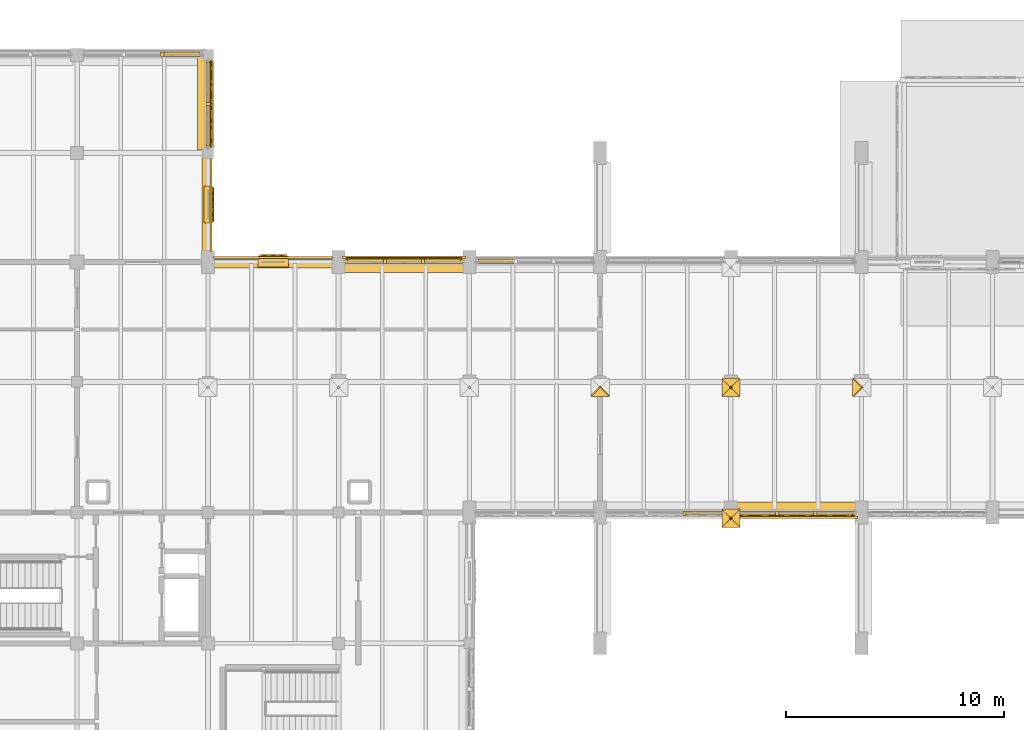
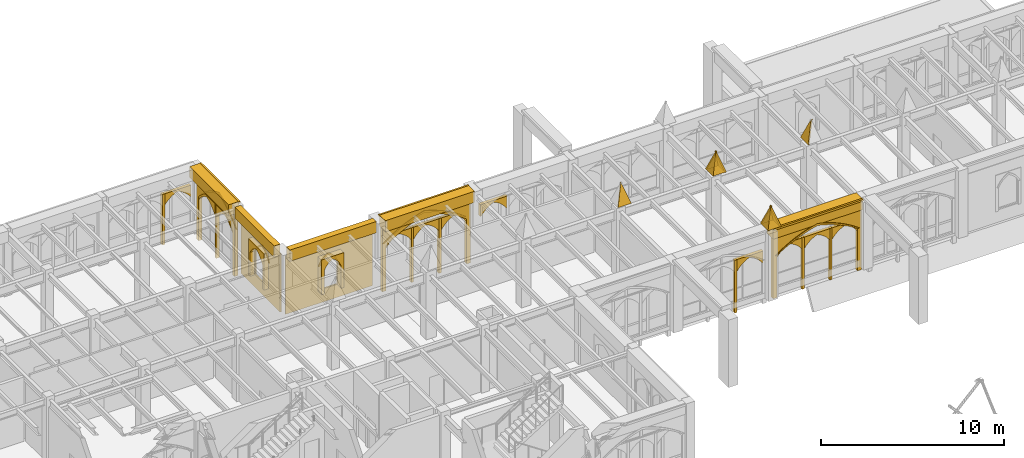
# One storey, part 131 of 143: 48 coverings.
"""IFC4 building model written with IfcOpenShell, lengths in metres."""

from ifc_helpers import new_model, si_unit, direction, frame, origin, origin_2d, place, context, subcontext, project, spatial, polyline, rectangle, outline, extrude, material, type_object, element, save


model = new_model("IFC4")

# Units and contexts
model_context = context("Model", 3, precision=1e-05, world=origin(), true_north=direction((0.0, 1.0)))
body_context = subcontext(model_context, "Body", "Model", "MODEL_VIEW")
ifc_project = project(units=[si_unit("LENGTHUNIT", "METRE"), si_unit("AREAUNIT", "SQUARE_METRE"), si_unit("VOLUMEUNIT", "CUBIC_METRE"), si_unit("PLANEANGLEUNIT", "RADIAN"), si_unit("MASSUNIT", "GRAM", prefix="KILO")], contexts=[model_context])

# Site, building, storey
site_placement = place(None, origin())
site = spatial("IfcSite", under=ifc_project, at=site_placement, CompositionType="ELEMENT")
building_placement = place(site_placement, origin())
building = spatial("IfcBuilding", under=site, at=building_placement, Name="Cumevento Cable Car Station", CompositionType="ELEMENT")
storey_placement = place(building_placement, frame((0.0, 0.0, 9.0)))
storey = spatial("IfcBuildingStorey", under=building, at=storey_placement, Name="L03", CompositionType="ELEMENT", Elevation=9.0)

# Coverings
ifc_material = material(Name="Gnaisse Facoidal Stone Ashlar 85 MPa", Category="masonry")
covering_type = type_object("IfcCoveringType", Name="Gnaisse Ashlar Cladding CV-CL01", PredefinedType="CLADDING", material=ifc_material)
for number, where, z_axis, x_axis, name in (
    (1, (88.419921875, 50.320068359375, 4.8701171875), (0.0, -0.951573760476, 0.30742052367), (-1.0, 0.0, 0.0), "Gothic Buttress Pinnacle Spire Facet 3 bt:88.0:51.0"),
    (2, (93.580078125, 45.159912109375, 4.8701171875), (0.0, 0.951573760476, 0.30742052367), (1.0, 0.0, 0.0), "Gothic Buttress Pinnacle Spire Facet 1 bt:94.0:45.0"),
    (3, (94.419921875, 45.159912109375, 4.8701171875), (0.951573760476, 0.0, 0.30742052367), (0.0, -1.0, 0.0), "Gothic Buttress Pinnacle Spire Facet 2 bt:94.0:45.0"),
    (4, (94.419921875, 44.320068359375, 4.8701171875), (0.0, -0.951573760476, 0.30742052367), (-1.0, 0.0, 0.0), "Gothic Buttress Pinnacle Spire Facet 3 bt:94.0:45.0"),
    (5, (93.580078125, 44.320068359375, 4.8701171875), (-0.951573760476, 0.0, 0.30742052367), (0.0, 1.0, 0.0), "Gothic Buttress Pinnacle Spire Facet 4 bt:94.0:45.0"),
    (6, (93.580078125, 51.159912109375, 4.8701171875), (0.0, 0.951573760476, 0.30742052367), (1.0, 0.0, 0.0), "Gothic Buttress Pinnacle Spire Facet 1 bt:94.0:51.0"),
    (7, (94.419921875, 51.159912109375, 4.8701171875), (0.951573760476, 0.0, 0.30742052367), (0.0, -1.0, 0.0), "Gothic Buttress Pinnacle Spire Facet 2 bt:94.0:51.0"),
    (8, (94.419921875, 50.320068359375, 4.8701171875), (0.0, -0.951573760476, 0.30742052367), (-1.0, 0.0, 0.0), "Gothic Buttress Pinnacle Spire Facet 3 bt:94.0:51.0"),
    (9, (93.580078125, 50.320068359375, 4.8701171875), (-0.951573760476, 0.0, 0.30742052367), (0.0, 1.0, 0.0), "Gothic Buttress Pinnacle Spire Facet 4 bt:94.0:51.0"),
    (10, (99.580078125, 50.320068359375, 4.8701171875), (-0.951573760476, 0.0, 0.30742052367), (0.0, 1.0, 0.0), "Gothic Buttress Pinnacle Spire Facet 4 bt:100.0:51.0"),
):
    element("IfcCovering", number, at=place(storey_placement, frame(where, z_axis=z_axis, x_axis=x_axis)), inside=storey, type_object=covering_type, Name=name, PredefinedType="CLADDING", context=body_context, shape_type="SweptSolid", body=[
        extrude(outline(polyline([(0.0, 0.0), (0.83984375, 0.0), (0.419921875, -1.3659526370817139), (0.0, 0.0)])), origin(), (0.0, 0.0, -1.0), 0.0849609375),
    ])
covering_1_placement = place(storey_placement, frame((73.0, 56.409912109375, 3.77294921875), z_axis=(0.0, 0.0, 1.0), x_axis=(1.0, 0.0, 0.0)))
element("IfcCovering", 11, at=covering_1_placement, inside=storey, type_object=covering_type, Name="Gothic Stone Spandrel Stringcourse sc:0644", PredefinedType="CLADDING", context=body_context, shape_type="SweptSolid", body=[
    extrude(rectangle(XDim=5.4599609375, YDim=0.3798828125, at=origin_2d()), origin(), (0.0, 0.0, 1.0), 0.7470703125),
])
covering_2_placement = place(storey_placement, frame((79.0, 56.35009765625, 3.784912109375), z_axis=(0.0, 0.0, 1.0), x_axis=(1.0, 0.0, 0.0)))
element("IfcCovering", 12, at=covering_2_placement, inside=storey, type_object=covering_type, Name="Gothic Stone Spandrel Stringcourse sc:0645", PredefinedType="CLADDING", context=body_context, shape_type="SweptSolid", body=[
    extrude(rectangle(XDim=5.639892578125, YDim=0.659912109375, at=origin_2d()), origin(), (0.0, 0.0, 1.0), 0.7470703125),
])
covering_3_placement = place(storey_placement, frame((79.0, 56.70751953125, 4.402099609375), z_axis=(0.0, 0.0, 1.0), x_axis=(1.0, 0.0, 0.0)))
element("IfcCovering", 13, at=covering_3_placement, inside=storey, type_object=covering_type, Name="Gothic Cornice Dripstone Lip sc:0645", PredefinedType="CLADDING", context=body_context, shape_type="SweptSolid", body=[
    extrude(rectangle(XDim=5.679931640625, YDim=0.114990234375, at=origin_2d()), origin(), (0.0, 0.0, 1.0), 0.1298828125),
])
covering_4_placement = place(storey_placement, frame((97.0, 45.14990234375, 3.784912109375), z_axis=(0.0, 0.0, 1.0), x_axis=(-1.0, 0.0, 0.0)))
element("IfcCovering", 14, at=covering_4_placement, inside=storey, type_object=covering_type, Name="Gothic Stone Spandrel Stringcourse sc:0648", PredefinedType="CLADDING", context=body_context, shape_type="SweptSolid", body=[
    extrude(rectangle(XDim=5.639892578125, YDim=0.659912109375, at=origin_2d()), origin(), (0.0, 0.0, 1.0), 0.7470703125),
])
covering_5_placement = place(storey_placement, frame((97.0, 44.79248046875, 4.402099609375), z_axis=(0.0, 0.0, 1.0), x_axis=(-1.0, 0.0, 0.0)))
element("IfcCovering", 15, at=covering_5_placement, inside=storey, type_object=covering_type, Name="Gothic Cornice Dripstone Lip sc:0648", PredefinedType="CLADDING", context=body_context, shape_type="SweptSolid", body=[
    extrude(rectangle(XDim=5.679931640625, YDim=0.114990234375, at=origin_2d()), origin(), (0.0, 0.0, 1.0), 0.1298828125),
])
covering_6_placement = place(storey_placement, frame((69.909912109375, 59.137451171875, 3.77294921875), z_axis=(0.0, 0.0, 1.0), x_axis=(0.0, -1.0, 0.0)))
element("IfcCovering", 16, at=covering_6_placement, inside=storey, type_object=covering_type, Name="Gothic Stone Spandrel Stringcourse sc:0663", PredefinedType="CLADDING", context=body_context, shape_type="SweptSolid", body=[
    extrude(rectangle(XDim=4.284912109375, YDim=0.3798828125, at=origin_2d()), origin(), (0.0, 0.0, 1.0), 0.7470703125),
])
covering_7_placement = place(storey_placement, frame((69.85009765625, 63.75, 3.77294921875), z_axis=(0.0, 0.0, 1.0), x_axis=(0.0, -1.0, 0.0)))
element("IfcCovering", 17, at=covering_7_placement, inside=storey, type_object=covering_type, Name="Gothic Stone Spandrel Stringcourse sc:0664", PredefinedType="CLADDING", context=body_context, shape_type="SweptSolid", body=[
    extrude(rectangle(XDim=4.239990234375, YDim=0.659912109375, at=origin_2d()), origin(), (0.0, 0.0, 1.0), 0.7470703125),
])
covering_8_placement = place(storey_placement, frame((70.20751953125, 63.75, 4.39013671875), z_axis=(0.0, 0.0, 1.0), x_axis=(0.0, -1.0, 0.0)))
element("IfcCovering", 18, at=covering_8_placement, inside=storey, type_object=covering_type, Name="Gothic Cornice Dripstone Lip sc:0664", PredefinedType="CLADDING", context=body_context, shape_type="SweptSolid", body=[
    extrude(rectangle(XDim=4.280029296875, YDim=0.114990234375, at=origin_2d()), origin(), (0.0, 0.0, 1.0), 0.1298828125),
])
placement_1 = place(storey_placement, frame((76.300048828125, 56.5, -0.469970703125), z_axis=(0.0, 0.0, 1.0), x_axis=(1.0, 0.0, 0.0)))
element("IfcCovering", 19, at=placement_1, inside=storey, type_object=covering_type, Name="Gothic Ogival Pointed-Arch Stone Spandrel cw_ogival:0105", PredefinedType="CLADDING", context=body_context, shape_type="SweptSolid", body=[
    extrude(outline(polyline([(-0.080078125, 0.0), (-0.080078125, 4.39501953125), (5.47998046875, 4.39501953125), (5.47998046875, 0.0), (5.239990234375, 0.0), (5.239990234375, 3.00634765625), (4.951416015625, 3.209716796875), (4.653076171875, 3.398193359375), (4.345703125, 3.5712890625), (4.030029296875, 3.72900390625), (3.70654296875, 3.870361328125), (3.376708984375, 3.995361328125), (3.040771484375, 4.103759765625), (2.699951171875, 4.195068359375), (2.359130859375, 4.103759765625), (2.023193359375, 3.995361328125), (1.693359375, 3.870361328125), (1.369873046875, 3.72900390625), (1.05419921875, 3.5712890625), (0.746826171875, 3.398193359375), (0.448486328125, 3.209716796875), (0.159912109375, 3.00634765625), (0.159912109375, 0.0), (-0.080078125, 0.0)])), frame((0.0, 0.139892578125, 0.0), z_axis=(0.0, -1.0, 0.0), x_axis=(1.0, 0.0, 0.0)), (0.0, 0.0, 1.0), 0.219970703125),
])
covering_10_placement = place(storey_placement, frame((76.300048828125, 56.5, 2.536376953125), z_axis=(0.0, 0.0, 1.0), x_axis=(1.0, 0.0, 0.0)))
element("IfcCovering", 20, at=covering_10_placement, inside=storey, type_object=covering_type, Name="Gothic Pointed Archivolt Hood Moulding cw_ogival:0105", PredefinedType="CLADDING", context=body_context, shape_type="SweptSolid", body=[
    extrude(outline(polyline([(0.159912109375, 0.0), (0.448486328125, 0.203369140625), (0.746826171875, 0.391845703125), (1.05419921875, 0.56494140625), (1.369873046875, 0.72265625), (1.693359375, 0.864013671875), (2.023193359375, 0.989013671875), (2.359130859375, 1.097412109375), (2.699951171875, 1.188720703125), (3.040771484375, 1.097412109375), (3.376708984375, 0.989013671875), (3.70654296875, 0.864013671875), (4.030029296875, 0.72265625), (4.345703125, 0.56494140625), (4.653076171875, 0.391845703125), (4.951416015625, 0.203369140625), (5.239990234375, 0.0), (5.35009765625, 0.0), (5.052978515625, 0.22607421875), (4.744384765625, 0.43603515625), (4.425048828125, 0.629150390625), (4.095947265625, 0.804931640625), (3.7578125, 0.963134765625), (3.411865234375, 1.102783203125), (3.058837890625, 1.223876953125), (2.699951171875, 1.326171875), (2.341064453125, 1.223876953125), (1.988037109375, 1.102783203125), (1.64208984375, 0.963134765625), (1.303955078125, 0.804931640625), (0.974853515625, 0.629150390625), (0.655517578125, 0.43603515625), (0.346923828125, 0.22607421875), (0.050048828125, 0.0), (0.159912109375, 0.0)])), frame((0.0, 0.181884765625, 0.0), z_axis=(0.0, -1.0, 0.0), x_axis=(1.0, 0.0, 0.0)), (0.0, 0.0, 1.0), 0.06689453125),
])
element("IfcCovering", 21, at=placement_1, inside=storey, type_object=covering_type, Name="Gothic Bifora Stone Colonnette cw_ogival:0105 #1", PredefinedType="CLADDING", context=body_context, shape_type="SweptSolid", body=[
    extrude(outline(polyline([(1.75341796875, -0.02001953125), (1.9033203125, -0.02001953125), (1.9033203125, 3.62451171875), (1.75341796875, 3.62451171875), (1.75341796875, -0.02001953125)])), frame((0.0, 0.1279296875, 0.0), z_axis=(0.0, -1.0, 0.0), x_axis=(1.0, 0.0, 0.0)), (0.0, 0.0, 1.0), 0.205078125),
])
element("IfcCovering", 22, at=placement_1, inside=storey, type_object=covering_type, Name="Gothic Bifora Stone Colonnette cw_ogival:0105 #2", PredefinedType="CLADDING", context=body_context, shape_type="SweptSolid", body=[
    extrude(outline(polyline([(3.49658203125, -0.02001953125), (3.646728515625, -0.02001953125), (3.646728515625, 3.62451171875), (3.49658203125, 3.62451171875), (3.49658203125, -0.02001953125)])), frame((0.0, 0.1279296875, 0.0), z_axis=(0.0, -1.0, 0.0), x_axis=(1.0, 0.0, 0.0)), (0.0, 0.0, 1.0), 0.205078125),
])
for number, where, z_axis, x_axis, name in (
    (23, (76.429931640625, 56.5, 2.3564453125), (0.0, 0.0, 1.0), (1.0, 0.0, 0.0), "Gothic Ogival Pointed-Arch Stone Spandrel cw_ogival:0105:sub:0"),
    (24, (78.17333984375, 56.5, 2.3564453125), (0.0, 0.0, 1.0), (1.0, 0.0, 0.0), "Gothic Ogival Pointed-Arch Stone Spandrel cw_ogival:0105:sub:1"),
    (25, (79.916748046875, 56.5, 2.3564453125), (0.0, 0.0, 1.0), (1.0, 0.0, 0.0), "Gothic Ogival Pointed-Arch Stone Spandrel cw_ogival:0105:sub:2"),
):
    element("IfcCovering", number, at=place(storey_placement, frame(where, z_axis=z_axis, x_axis=x_axis)), inside=storey, type_object=covering_type, Name=name, PredefinedType="CLADDING", context=body_context, shape_type="SweptSolid", body=[
        extrude(outline(polyline([(-0.02001953125, 0.0), (-0.02001953125, 0.798095703125), (1.67333984375, 0.798095703125), (1.67333984375, 0.0), (1.61328125, 0.0), (1.515869140625, 0.146728515625), (1.40283203125, 0.281982421875), (1.27587890625, 0.404052734375), (1.136474609375, 0.511474609375), (0.986083984375, 0.603271484375), (0.82666015625, 0.677978515625), (0.667236328125, 0.603271484375), (0.516845703125, 0.511474609375), (0.37744140625, 0.404052734375), (0.25048828125, 0.281982421875), (0.137451171875, 0.146728515625), (0.0400390625, 0.0), (-0.02001953125, 0.0)])), frame((0.0, 0.1240234375, 0.0), z_axis=(0.0, -1.0, 0.0), x_axis=(1.0, 0.0, 0.0)), (0.0, 0.0, 1.0), 0.199951171875),
    ])
covering_13_placement = place(storey_placement, frame((82.429931640625, 56.5, 2.392333984375), z_axis=(0.0, 0.0, 1.0), x_axis=(1.0, 0.0, 0.0)))
element("IfcCovering", 26, at=covering_13_placement, inside=storey, type_object=covering_type, Name="Gothic Ogival Pointed-Arch Stone Spandrel cw_ogival:0107:sub:0", PredefinedType="CLADDING", context=body_context, shape_type="SweptSolid", body=[
    extrude(outline(polyline([(-0.02001953125, 0.0), (-0.02001953125, 0.779296875), (1.67333984375, 0.779296875), (1.67333984375, 0.0), (1.61328125, 0.0), (1.51416015625, 0.14306640625), (1.400390625, 0.274658203125), (1.2734375, 0.393310546875), (1.13427734375, 0.497802734375), (0.98486328125, 0.5869140625), (0.82666015625, 0.659423828125), (0.66845703125, 0.5869140625), (0.51904296875, 0.497802734375), (0.3798828125, 0.393310546875), (0.2529296875, 0.274658203125), (0.13916015625, 0.14306640625), (0.0400390625, 0.0), (-0.02001953125, 0.0)])), frame((0.0, 0.1240234375, 0.0), z_axis=(0.0, -1.0, 0.0), x_axis=(1.0, 0.0, 0.0)), (0.0, 0.0, 1.0), 0.199951171875),
])
covering_14_placement = place(storey_placement, frame((93.699951171875, 45.0, -0.320068359375), z_axis=(0.0, 0.0, 1.0), x_axis=(-1.0, 0.0, 0.0)))
element("IfcCovering", 27, at=covering_14_placement, inside=storey, type_object=covering_type, Name="Gothic Bifora Stone Colonnette cw_ogival:0108 #1", PredefinedType="CLADDING", context=body_context, shape_type="SweptSolid", body=[
    extrude(outline(polyline([(1.75341796875, -0.02001953125), (1.9033203125, -0.02001953125), (1.9033203125, 3.50048828125), (1.75341796875, 3.50048828125), (1.75341796875, -0.02001953125)])), frame((0.0, 0.1279296875, 0.0), z_axis=(0.0, -1.0, 0.0), x_axis=(1.0, 0.0, 0.0)), (0.0, 0.0, 1.0), 0.205078125),
])
covering_15_placement = place(storey_placement, frame((93.570068359375, 45.0, 2.410400390625), z_axis=(0.0, 0.0, 1.0), x_axis=(-1.0, 0.0, 0.0)))
element("IfcCovering", 28, at=covering_15_placement, inside=storey, type_object=covering_type, Name="Gothic Ogival Pointed-Arch Stone Spandrel cw_ogival:0108:sub:0", PredefinedType="CLADDING", context=body_context, shape_type="SweptSolid", body=[
    extrude(outline(polyline([(-0.02001953125, 0.0), (-0.02001953125, 0.77001953125), (1.67333984375, 0.77001953125), (1.67333984375, 0.0), (1.61328125, 0.0), (1.513427734375, 0.14111328125), (1.3994140625, 0.27099609375), (1.27197265625, 0.387939453125), (1.133056640625, 0.490966796875), (0.984130859375, 0.57861328125), (0.82666015625, 0.64990234375), (0.669189453125, 0.57861328125), (0.520263671875, 0.490966796875), (0.38134765625, 0.387939453125), (0.25390625, 0.27099609375), (0.139892578125, 0.14111328125), (0.0400390625, 0.0), (-0.02001953125, 0.0)])), frame((0.0, 0.1240234375, 0.0), z_axis=(0.0, -1.0, 0.0), x_axis=(1.0, 0.0, 0.0)), (0.0, 0.0, 1.0), 0.199951171875),
])
placement_2 = place(storey_placement, frame((99.699951171875, 45.0, -0.219970703125), z_axis=(0.0, 0.0, 1.0), x_axis=(-1.0, 0.0, 0.0)))
element("IfcCovering", 29, at=placement_2, inside=storey, type_object=covering_type, Name="Gothic Ogival Pointed-Arch Stone Spandrel cw_ogival:0110", PredefinedType="CLADDING", context=body_context, shape_type="SweptSolid", body=[
    extrude(outline(polyline([(-0.080078125, 0.0), (-0.080078125, 4.14501953125), (5.47998046875, 4.14501953125), (5.47998046875, 0.0), (5.239990234375, 0.0), (5.239990234375, 2.846435546875), (4.947509765625, 3.034912109375), (4.646484375, 3.20947265625), (4.337646484375, 3.36962890625), (4.021728515625, 3.515380859375), (3.69921875, 3.64599609375), (3.370849609375, 3.76123046875), (3.03759765625, 3.861083984375), (2.699951171875, 3.945068359375), (2.3623046875, 3.861083984375), (2.029052734375, 3.76123046875), (1.70068359375, 3.64599609375), (1.378173828125, 3.515380859375), (1.062255859375, 3.36962890625), (0.75341796875, 3.20947265625), (0.452392578125, 3.034912109375), (0.159912109375, 2.846435546875), (0.159912109375, 0.0), (-0.080078125, 0.0)])), frame((0.0, 0.139892578125, 0.0), z_axis=(0.0, -1.0, 0.0), x_axis=(1.0, 0.0, 0.0)), (0.0, 0.0, 1.0), 0.219970703125),
])
covering_17_placement = place(storey_placement, frame((99.699951171875, 45.0, 2.62646484375), z_axis=(0.0, 0.0, 1.0), x_axis=(-1.0, 0.0, 0.0)))
element("IfcCovering", 30, at=covering_17_placement, inside=storey, type_object=covering_type, Name="Gothic Pointed Archivolt Hood Moulding cw_ogival:0110", PredefinedType="CLADDING", context=body_context, shape_type="SweptSolid", body=[
    extrude(outline(polyline([(0.159912109375, 0.0), (0.452392578125, 0.1884765625), (0.75341796875, 0.363037109375), (1.062255859375, 0.523193359375), (1.378173828125, 0.6689453125), (1.70068359375, 0.799560546875), (2.029052734375, 0.914794921875), (2.3623046875, 1.0146484375), (2.699951171875, 1.0986328125), (3.03759765625, 1.0146484375), (3.370849609375, 0.914794921875), (3.69921875, 0.799560546875), (4.021728515625, 0.6689453125), (4.337646484375, 0.523193359375), (4.646484375, 0.363037109375), (4.947509765625, 0.1884765625), (5.239990234375, 0.0), (5.35009765625, 0.0), (5.048828125, 0.21142578125), (4.7373046875, 0.407470703125), (4.41650390625, 0.587646484375), (4.087158203125, 0.75146484375), (3.75, 0.898681640625), (3.40576171875, 1.028564453125), (3.055419921875, 1.14111328125), (2.699951171875, 1.236083984375), (2.344482421875, 1.14111328125), (1.994140625, 1.028564453125), (1.64990234375, 0.898681640625), (1.312744140625, 0.75146484375), (0.9833984375, 0.587646484375), (0.66259765625, 0.407470703125), (0.35107421875, 0.21142578125), (0.050048828125, 0.0), (0.159912109375, 0.0)])), frame((0.0, 0.181884765625, 0.0), z_axis=(0.0, -1.0, 0.0), x_axis=(1.0, 0.0, 0.0)), (0.0, 0.0, 1.0), 0.06689453125),
])
element("IfcCovering", 31, at=placement_2, inside=storey, type_object=covering_type, Name="Gothic Bifora Stone Colonnette cw_ogival:0110 #1", PredefinedType="CLADDING", context=body_context, shape_type="SweptSolid", body=[
    extrude(outline(polyline([(1.75341796875, -0.02001953125), (1.9033203125, -0.02001953125), (1.9033203125, 3.417724609375), (1.75341796875, 3.417724609375), (1.75341796875, -0.02001953125)])), frame((0.0, 0.1279296875, 0.0), z_axis=(0.0, -1.0, 0.0), x_axis=(1.0, 0.0, 0.0)), (0.0, 0.0, 1.0), 0.205078125),
])
element("IfcCovering", 32, at=placement_2, inside=storey, type_object=covering_type, Name="Gothic Bifora Stone Colonnette cw_ogival:0110 #2", PredefinedType="CLADDING", context=body_context, shape_type="SweptSolid", body=[
    extrude(outline(polyline([(3.49658203125, -0.02001953125), (3.646728515625, -0.02001953125), (3.646728515625, 3.417724609375), (3.49658203125, 3.417724609375), (3.49658203125, -0.02001953125)])), frame((0.0, 0.1279296875, 0.0), z_axis=(0.0, -1.0, 0.0), x_axis=(1.0, 0.0, 0.0)), (0.0, 0.0, 1.0), 0.205078125),
])
for number, where, z_axis, x_axis, name in (
    (33, (99.570068359375, 45.0, 2.4462890625), (0.0, 0.0, 1.0), (-1.0, 0.0, 0.0), "Gothic Ogival Pointed-Arch Stone Spandrel cw_ogival:0110:sub:0"),
    (34, (97.82666015625, 45.0, 2.4462890625), (0.0, 0.0, 1.0), (-1.0, 0.0, 0.0), "Gothic Ogival Pointed-Arch Stone Spandrel cw_ogival:0110:sub:1"),
    (35, (96.083251953125, 45.0, 2.4462890625), (0.0, 0.0, 1.0), (-1.0, 0.0, 0.0), "Gothic Ogival Pointed-Arch Stone Spandrel cw_ogival:0110:sub:2"),
):
    element("IfcCovering", number, at=place(storey_placement, frame(where, z_axis=z_axis, x_axis=x_axis)), inside=storey, type_object=covering_type, Name=name, PredefinedType="CLADDING", context=body_context, shape_type="SweptSolid", body=[
        extrude(outline(polyline([(-0.02001953125, 0.0), (-0.02001953125, 0.751220703125), (1.67333984375, 0.751220703125), (1.67333984375, 0.0), (1.61328125, 0.0), (1.511962890625, 0.137451171875), (1.39697265625, 0.263671875), (1.26953125, 0.37744140625), (1.130859375, 0.47705078125), (0.98291015625, 0.56201171875), (0.82666015625, 0.63134765625), (0.67041015625, 0.56201171875), (0.5224609375, 0.47705078125), (0.3837890625, 0.37744140625), (0.25634765625, 0.263671875), (0.141357421875, 0.137451171875), (0.0400390625, 0.0), (-0.02001953125, 0.0)])), frame((0.0, 0.1240234375, 0.0), z_axis=(0.0, -1.0, 0.0), x_axis=(1.0, 0.0, 0.0)), (0.0, 0.0, 1.0), 0.199951171875),
    ])
covering_20_placement = place(storey_placement, frame((64.300048828125, 66.0, -0.159912109375), z_axis=(0.0, 0.0, 1.0), x_axis=(1.0, 0.0, 0.0)))
element("IfcCovering", 36, at=covering_20_placement, inside=storey, type_object=covering_type, Name="Gothic Bifora Stone Colonnette cw_ogival:0119 #2", PredefinedType="CLADDING", context=body_context, shape_type="SweptSolid", body=[
    extrude(outline(polyline([(3.530029296875, -0.02001953125), (3.679931640625, -0.02001953125), (3.679931640625, 3.358154296875), (3.530029296875, 3.358154296875), (3.530029296875, -0.02001953125)])), frame((0.0, 0.1279296875, 0.0), z_axis=(0.0, -1.0, 0.0), x_axis=(1.0, 0.0, 0.0)), (0.0, 0.0, 1.0), 0.205078125),
])
covering_21_placement = place(storey_placement, frame((67.949951171875, 66.0, 2.460205078125), z_axis=(0.0, 0.0, 1.0), x_axis=(1.0, 0.0, 0.0)))
element("IfcCovering", 37, at=covering_21_placement, inside=storey, type_object=covering_type, Name="Gothic Ogival Pointed-Arch Stone Spandrel cw_ogival:0119:sub:2", PredefinedType="CLADDING", context=body_context, shape_type="SweptSolid", body=[
    extrude(outline(polyline([(-0.02001953125, 0.0), (-0.02001953125, 0.73779296875), (1.68994140625, 0.73779296875), (1.68994140625, 0.0), (1.6298828125, 0.0), (1.52587890625, 0.135009765625), (1.40869140625, 0.258544921875), (1.27978515625, 0.369873046875), (1.14013671875, 0.46728515625), (0.9912109375, 0.55029296875), (0.8349609375, 0.617919921875), (0.6787109375, 0.55029296875), (0.52978515625, 0.46728515625), (0.39013671875, 0.369873046875), (0.26123046875, 0.258544921875), (0.14404296875, 0.135009765625), (0.0400390625, 0.0), (-0.02001953125, 0.0)])), frame((0.0, 0.1240234375, 0.0), z_axis=(0.0, -1.0, 0.0), x_axis=(1.0, 0.0, 0.0)), (0.0, 0.0, 1.0), 0.199951171875),
])
placement_3 = place(storey_placement, frame((70.0, 65.75, -0.419921875), z_axis=(0.0, 0.0, 1.0), x_axis=(0.0, -1.0, 0.0)))
element("IfcCovering", 38, at=placement_3, inside=storey, type_object=covering_type, Name="Gothic Ogival Pointed-Arch Stone Spandrel cw_ogival:0122", PredefinedType="CLADDING", context=body_context, shape_type="SweptSolid", body=[
    extrude(outline(polyline([(-0.080078125, 0.0), (-0.080078125, 4.3330078125), (4.080078125, 4.3330078125), (4.080078125, 0.0), (3.840087890625, 0.0), (3.840087890625, 2.966796875), (3.646728515625, 3.16259765625), (3.44091796875, 3.345947265625), (3.223876953125, 3.515380859375), (2.99609375, 3.670166015625), (2.759033203125, 3.81005859375), (2.51318359375, 3.93408203125), (2.259765625, 4.0419921875), (2.0, 4.133056640625), (1.740234375, 4.0419921875), (1.48681640625, 3.93408203125), (1.240966796875, 3.81005859375), (1.00390625, 3.670166015625), (0.776123046875, 3.515380859375), (0.55908203125, 3.345947265625), (0.353271484375, 3.16259765625), (0.159912109375, 2.966796875), (0.159912109375, 0.0), (-0.080078125, 0.0)])), frame((0.0, 0.139892578125, 0.0), z_axis=(0.0, -1.0, 0.0), x_axis=(1.0, 0.0, 0.0)), (0.0, 0.0, 1.0), 0.219970703125),
])
covering_23_placement = place(storey_placement, frame((70.0, 65.75, 2.546630859375), z_axis=(0.0, 0.0, 1.0), x_axis=(0.0, -1.0, 0.0)))
element("IfcCovering", 39, at=covering_23_placement, inside=storey, type_object=covering_type, Name="Gothic Pointed Archivolt Hood Moulding cw_ogival:0122", PredefinedType="CLADDING", context=body_context, shape_type="SweptSolid", body=[
    extrude(outline(polyline([(0.159912109375, 0.0), (0.353271484375, 0.196044921875), (0.55908203125, 0.379150390625), (0.776123046875, 0.548583984375), (1.00390625, 0.703369140625), (1.240966796875, 0.84326171875), (1.48681640625, 0.96728515625), (1.740234375, 1.0751953125), (2.0, 1.166259765625), (2.259765625, 1.0751953125), (2.51318359375, 0.96728515625), (2.759033203125, 0.84326171875), (2.99609375, 0.703369140625), (3.223876953125, 0.548583984375), (3.44091796875, 0.379150390625), (3.646728515625, 0.196044921875), (3.840087890625, 0.0), (3.949951171875, 0.0), (3.7490234375, 0.21826171875), (3.53369140625, 0.422607421875), (3.304931640625, 0.611572265625), (3.06396484375, 0.784912109375), (2.811767578125, 0.94140625), (2.549560546875, 1.08056640625), (2.278564453125, 1.201416015625), (2.0, 1.3037109375), (1.721435546875, 1.201416015625), (1.450439453125, 1.08056640625), (1.188232421875, 0.94140625), (0.93603515625, 0.784912109375), (0.695068359375, 0.611572265625), (0.46630859375, 0.422607421875), (0.2509765625, 0.21826171875), (0.050048828125, 0.0), (0.159912109375, 0.0)])), frame((0.0, 0.181884765625, 0.0), z_axis=(0.0, -1.0, 0.0), x_axis=(1.0, 0.0, 0.0)), (0.0, 0.0, 1.0), 0.06689453125),
])
element("IfcCovering", 40, at=placement_3, inside=storey, type_object=covering_type, Name="Gothic Bifora Stone Colonnette cw_ogival:0122 #1", PredefinedType="CLADDING", context=body_context, shape_type="SweptSolid", body=[
    extrude(outline(polyline([(1.925048828125, -0.02001953125), (2.074951171875, -0.02001953125), (2.074951171875, 3.5732421875), (1.925048828125, 3.5732421875), (1.925048828125, -0.02001953125)])), frame((0.0, 0.1279296875, 0.0), z_axis=(0.0, -1.0, 0.0), x_axis=(1.0, 0.0, 0.0)), (0.0, 0.0, 1.0), 0.205078125),
])
for number, where, z_axis, x_axis, name in (
    (41, (70.0, 65.6201171875, 2.36669921875), (0.0, 0.0, 1.0), (0.0, -1.0, 0.0), "Gothic Ogival Pointed-Arch Stone Spandrel cw_ogival:0122:sub:0"),
    (42, (70.0, 63.705078125, 2.36669921875), (0.0, 0.0, 1.0), (0.0, -1.0, 0.0), "Gothic Ogival Pointed-Arch Stone Spandrel cw_ogival:0122:sub:1"),
):
    element("IfcCovering", number, at=place(storey_placement, frame(where, z_axis=z_axis, x_axis=x_axis)), inside=storey, type_object=covering_type, Name=name, PredefinedType="CLADDING", context=body_context, shape_type="SweptSolid", body=[
        extrude(outline(polyline([(-0.02001953125, 0.0), (-0.02001953125, 0.78662109375), (1.844970703125, 0.78662109375), (1.844970703125, 0.0), (1.784912109375, 0.0), (1.669921875, 0.145751953125), (1.540771484375, 0.279296875), (1.399169921875, 0.399169921875), (1.24609375, 0.50439453125), (1.083251953125, 0.59375), (0.91259765625, 0.66650390625), (0.74169921875, 0.59375), (0.578857421875, 0.50439453125), (0.42578125, 0.399169921875), (0.2841796875, 0.279296875), (0.155029296875, 0.145751953125), (0.0400390625, 0.0), (-0.02001953125, 0.0)])), frame((0.0, 0.1240234375, 0.0), z_axis=(0.0, -1.0, 0.0), x_axis=(1.0, 0.0, 0.0)), (0.0, 0.0, 1.0), 0.199951171875),
    ])
covering_25_placement = place(storey_placement, frame((70.300048828125, 56.5, 0.0), z_axis=(0.0, 0.0, 1.0), x_axis=(1.0, 0.0, 0.0)))
element("IfcCovering", 43, at=covering_25_placement, inside=storey, type_object=covering_type, Name="Exterior Gnaisse Stone Wall Ashlar #247", PredefinedType="CLADDING", context=body_context, shape_type="SweptSolid", body=[
    extrude(outline(polyline([(-0.0400390625, -0.02001953125), (5.43994140625, -0.02001953125), (5.43994140625, 3.85302734375), (-0.0400390625, 3.85302734375), (-0.0400390625, -0.02001953125)]), holes=[polyline([(2.18505859375, 0.860107421875), (3.215087890625, 0.860107421875), (3.215087890625, 2.889892578125), (2.18505859375, 2.889892578125), (2.18505859375, 0.860107421875)])]), frame((0.0, 0.237548828125, 0.0), z_axis=(0.0, -1.0, 0.0), x_axis=(1.0, 0.0, 0.0)), (0.0, 0.0, 1.0), 0.0849609375),
])
covering_26_placement = place(storey_placement, frame((72.3349609375, 56.5, 0.800048828125), z_axis=(0.0, 0.0, 1.0), x_axis=(1.0, 0.0, 0.0)))
element("IfcCovering", 44, at=covering_26_placement, inside=storey, type_object=covering_type, Name="Gothic Ogival Pointed-Arch Stone Spandrel op_ogival:0247:1", PredefinedType="CLADDING", context=body_context, shape_type="SweptSolid", body=[
    extrude(outline(polyline([(-0.0400390625, 0.0), (-0.0400390625, 2.320068359375), (1.3701171875, 2.320068359375), (1.3701171875, 0.0), (1.18994140625, 0.0), (1.18994140625, 1.52587890625), (1.1474609375, 1.63671875), (1.0927734375, 1.74169921875), (1.026611328125, 1.839599609375), (0.94970703125, 1.9296875), (0.863037109375, 2.010498046875), (0.767578125, 2.080810546875), (0.6650390625, 2.139892578125), (0.5625, 2.080810546875), (0.467041015625, 2.010498046875), (0.38037109375, 1.9296875), (0.303466796875, 1.839599609375), (0.2373046875, 1.74169921875), (0.1826171875, 1.63671875), (0.139892578125, 1.52587890625), (0.139892578125, 0.0), (-0.0400390625, 0.0)])), frame((0.0, 0.275390625, 0.0), z_axis=(0.0, -1.0, 0.0), x_axis=(1.0, 0.0, 0.0)), (0.0, 0.0, 1.0), 0.5048828125),
])
covering_27_placement = place(storey_placement, frame((72.3349609375, 56.5, 2.325927734375), z_axis=(0.0, 0.0, 1.0), x_axis=(1.0, 0.0, 0.0)))
element("IfcCovering", 45, at=covering_27_placement, inside=storey, type_object=covering_type, Name="Gothic Pointed Archivolt Hood Moulding op_ogival:0247:1", PredefinedType="CLADDING", context=body_context, shape_type="SweptSolid", body=[
    extrude(outline(polyline([(0.139892578125, 0.0), (0.1826171875, 0.110595703125), (0.2373046875, 0.215576171875), (0.303466796875, 0.313720703125), (0.38037109375, 0.40380859375), (0.467041015625, 0.484375), (0.5625, 0.554931640625), (0.6650390625, 0.614013671875), (0.767578125, 0.554931640625), (0.863037109375, 0.484375), (0.94970703125, 0.40380859375), (1.026611328125, 0.313720703125), (1.0927734375, 0.215576171875), (1.1474609375, 0.110595703125), (1.18994140625, 0.0), (1.2890625, 0.0), (1.2392578125, 0.132568359375), (1.174560546875, 0.2587890625), (1.095947265625, 0.376708984375), (1.00439453125, 0.48486328125), (0.901123046875, 0.58203125), (0.78759765625, 0.66650390625), (0.6650390625, 0.73779296875), (0.54248046875, 0.66650390625), (0.428955078125, 0.58203125), (0.32568359375, 0.48486328125), (0.234130859375, 0.376708984375), (0.155517578125, 0.2587890625), (0.0908203125, 0.132568359375), (0.041015625, 0.0), (0.139892578125, 0.0)])), frame((0.0, 0.3173828125, 0.0), z_axis=(0.0, -1.0, 0.0), x_axis=(1.0, 0.0, 0.0)), (0.0, 0.0, 1.0), 0.06689453125),
])
covering_28_placement = place(storey_placement, frame((70.0, 61.25, 0.0), z_axis=(0.0, 0.0, 1.0), x_axis=(0.0, -1.0, 0.0)))
element("IfcCovering", 46, at=covering_28_placement, inside=storey, type_object=covering_type, Name="Exterior Gnaisse Stone Wall Ashlar #250", PredefinedType="CLADDING", context=body_context, shape_type="SweptSolid", body=[
    extrude(outline(polyline([(-0.0400390625, -0.02001953125), (4.264892578125, -0.02001953125), (4.264892578125, 3.85302734375), (-0.0400390625, 3.85302734375), (-0.0400390625, -0.02001953125)]), holes=[polyline([(1.447509765625, 0.81005859375), (2.777587890625, 0.81005859375), (2.777587890625, 2.93994140625), (1.447509765625, 2.93994140625), (1.447509765625, 0.81005859375)])]), frame((0.0, 0.18505859375, 0.0), z_axis=(0.0, -1.0, 0.0), x_axis=(1.0, 0.0, 0.0)), (0.0, 0.0, 1.0), 0.0849609375),
])
covering_29_placement = place(storey_placement, frame((70.0, 59.952392578125, 0.75), z_axis=(0.0, 0.0, 1.0), x_axis=(0.0, -1.0, 0.0)))
element("IfcCovering", 47, at=covering_29_placement, inside=storey, type_object=covering_type, Name="Gothic Ogival Pointed-Arch Stone Spandrel op_ogival:0250:1", PredefinedType="CLADDING", context=body_context, shape_type="SweptSolid", body=[
    extrude(outline(polyline([(-0.0400390625, 0.0), (-0.0400390625, 2.419921875), (1.669921875, 2.419921875), (1.669921875, 0.0), (1.489990234375, 0.0), (1.489990234375, 1.597900390625), (1.423583984375, 1.71630859375), (1.345703125, 1.82763671875), (1.257080078125, 1.930419921875), (1.15869140625, 2.0244140625), (1.051513671875, 2.107421875), (0.9365234375, 2.179443359375), (0.81494140625, 2.239990234375), (0.693359375, 2.179443359375), (0.578369140625, 2.107421875), (0.47119140625, 2.0244140625), (0.372802734375, 1.930419921875), (0.2841796875, 1.82763671875), (0.206298828125, 1.71630859375), (0.139892578125, 1.597900390625), (0.139892578125, 0.0), (-0.0400390625, 0.0)])), frame((0.0, 0.222900390625, 0.0), z_axis=(0.0, -1.0, 0.0), x_axis=(1.0, 0.0, 0.0)), (0.0, 0.0, 1.0), 0.39990234375),
])
covering_30_placement = place(storey_placement, frame((70.0, 59.952392578125, 2.347900390625), z_axis=(0.0, 0.0, 1.0), x_axis=(0.0, -1.0, 0.0)))
element("IfcCovering", 48, at=covering_30_placement, inside=storey, type_object=covering_type, Name="Gothic Pointed Archivolt Hood Moulding op_ogival:0250:1", PredefinedType="CLADDING", context=body_context, shape_type="SweptSolid", body=[
    extrude(outline(polyline([(0.139892578125, 0.0), (0.206298828125, 0.118408203125), (0.2841796875, 0.229736328125), (0.372802734375, 0.33251953125), (0.47119140625, 0.42626953125), (0.578369140625, 0.509521484375), (0.693359375, 0.58154296875), (0.81494140625, 0.64208984375), (0.9365234375, 0.58154296875), (1.051513671875, 0.509521484375), (1.15869140625, 0.42626953125), (1.257080078125, 0.33251953125), (1.345703125, 0.229736328125), (1.423583984375, 0.118408203125), (1.489990234375, 0.0), (1.589111328125, 0.0), (1.51513671875, 0.140625), (1.42724609375, 0.27294921875), (1.326416015625, 0.395751953125), (1.21337890625, 0.507568359375), (1.089599609375, 0.607177734375), (0.956298828125, 0.693359375), (0.81494140625, 0.765869140625), (0.673583984375, 0.693359375), (0.540283203125, 0.607177734375), (0.41650390625, 0.507568359375), (0.303466796875, 0.395751953125), (0.20263671875, 0.27294921875), (0.11474609375, 0.140625), (0.041015625, 0.0), (0.139892578125, 0.0)])), frame((0.0, 0.264892578125, 0.0), z_axis=(0.0, -1.0, 0.0), x_axis=(1.0, 0.0, 0.0)), (0.0, 0.0, 1.0), 0.06689453125),
])

save(model, "model.ifc")
